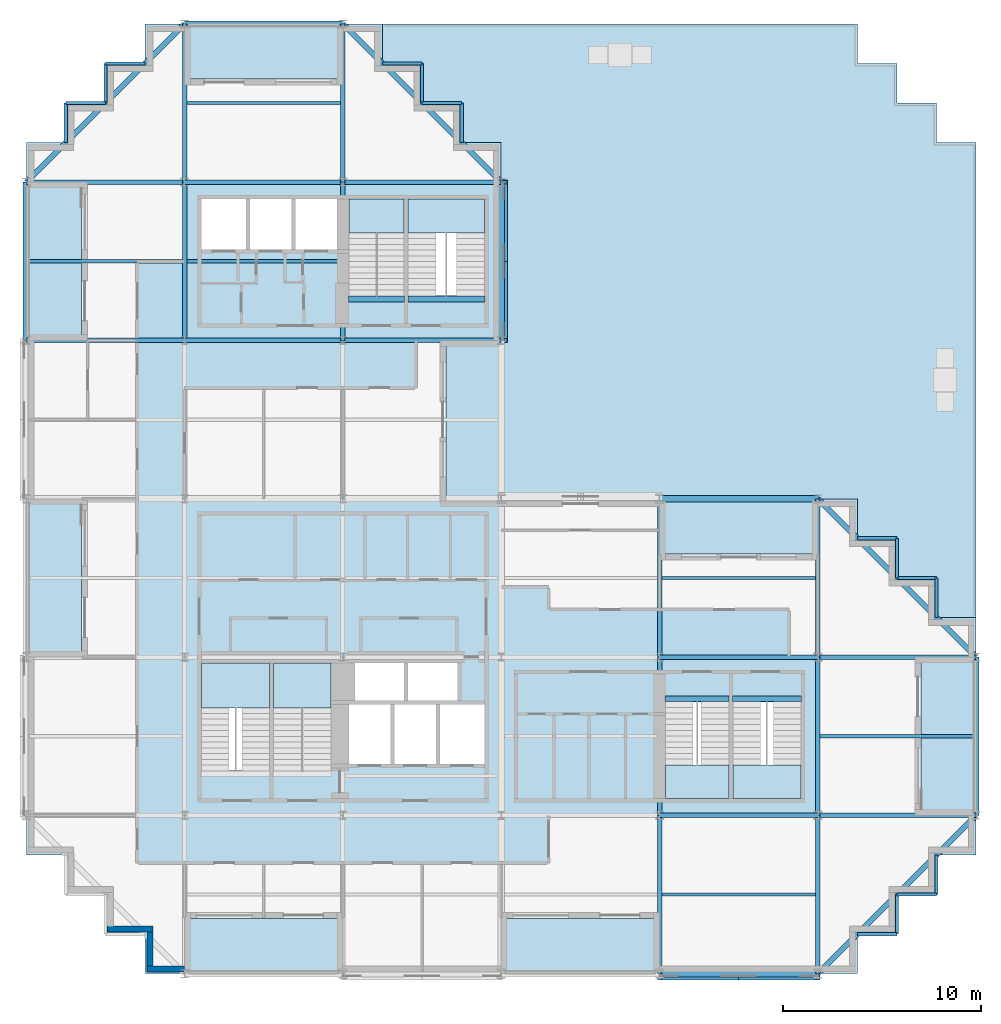
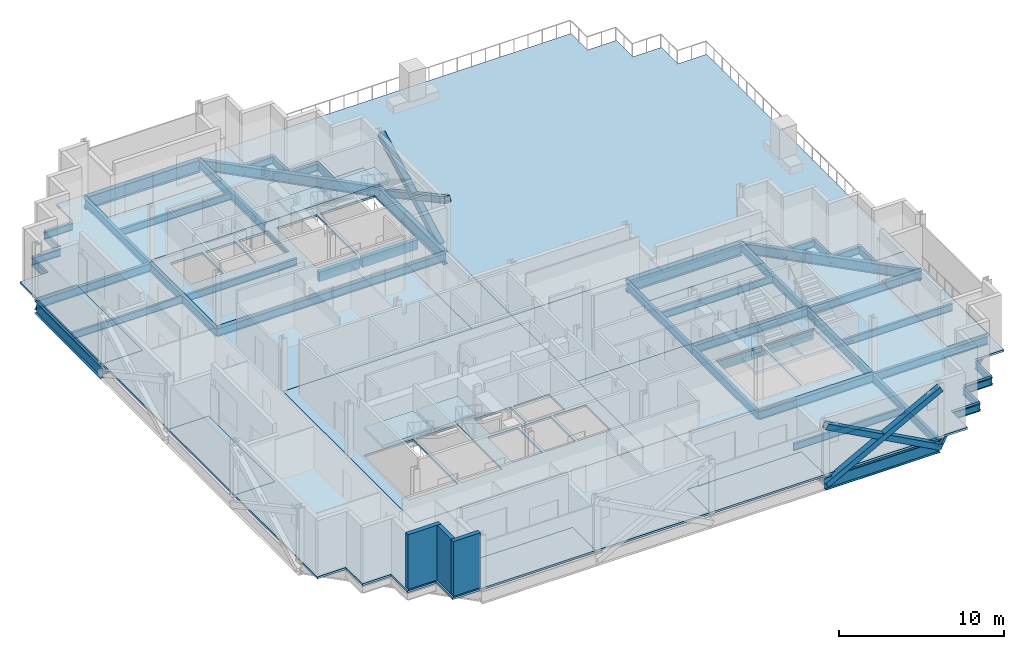
# One storey, part 3 of 12: 56 beams, 19 slabs, 4 members, 3 walls, 6 elements without a shape of their own.
"""IFC4 building model written with IfcOpenShell, lengths in metres."""

from ifc_helpers import new_model, si_unit, direction, frame, frame_2d, origin, origin_2d, place, context, subcontext, project, spatial, polyline, rectangle, hollow_rectangle, i_section, outline, extrude, material, layer, layer_set, material_profile, profile_set, type_object, element, aggregate, save


model = new_model("IFC4")

# Units and contexts
model_context = context("Model", 3, precision=1e-05, world=origin(), true_north=direction((0.0, 1.0)))
body_context = subcontext(model_context, "Body", "Model", "MODEL_VIEW")
ifc_project = project(units=[si_unit("LENGTHUNIT", "METRE"), si_unit("AREAUNIT", "SQUARE_METRE"), si_unit("VOLUMEUNIT", "CUBIC_METRE"), si_unit("PLANEANGLEUNIT", "RADIAN"), si_unit("MASSUNIT", "GRAM", prefix="KILO")], contexts=[model_context])

# Site, building, storey
site_placement = place(None, origin())
site = spatial("IfcSite", under=ifc_project, at=site_placement, CompositionType="ELEMENT")
building_placement = place(site_placement, origin())
building = spatial("IfcBuilding", under=site, at=building_placement, Name="Immortelle Media Tower", CompositionType="ELEMENT")
storey_placement = place(building_placement, frame((0.0, 0.0, 120.0)))
storey = spatial("IfcBuildingStorey", under=building, at=storey_placement, Name="L23", CompositionType="ELEMENT", Elevation=120.0)

# Members
ifc_material_1 = material(Name="Steel ASTM A500 Gr C", Category="steel")
ifc_material_profile_1 = material_profile(ifc_material_1, hollow_rectangle(XDim=0.406005859375, YDim=0.406005859375, WallThickness=0.011962890625, at=origin_2d()), Name="HSS16x16x1/2 brace")
ifc_profile_set_1 = profile_set([ifc_material_profile_1], Name="Steel ASTM A500 Gr C")
member_type = type_object("IfcMemberType", Name="HSS16x16x1/2 brace", PredefinedType="BRACE", material=ifc_profile_set_1)
for number, where, z_axis, x_axis, name in (
    (1, (32.0, -0.113037109375, -0.613525390625), (0.880036960402, 0.0, 0.474905199304), (0.0, 1.0, 0.0), "Brace A/5-6 A"),
    (2, (32.0, -0.113037109375, 3.70361328125), (0.880036960402, 0.0, -0.474905199304), (0.0, 1.0, 0.0), "Brace A/5-6 B"),
    (3, (24.113037109375, 32.0, -0.613525390625), (0.0, 0.880036960402, 0.474905199304), (-1.0, 0.0, 0.0), "Brace 4/E-F A"),
    (4, (24.113037109375, 32.0, 3.70361328125), (0.0, 0.880036960402, -0.474905199304), (-1.0, 0.0, 0.0), "Brace 4/E-F B"),
):
    element("IfcMember", number, at=place(storey_placement, frame(where, z_axis=z_axis, x_axis=x_axis)), inside=storey, type_object=member_type, Name=name, PredefinedType="BRACE", context=body_context, shape_type="SweptSolid", body=[
        extrude(hollow_rectangle(XDim=0.406005859375, YDim=0.406005859375, WallThickness=0.011962890625, at=origin_2d()), origin(), (0.0, 0.0, 1.0), 9.090576171875),
    ])

# Beams
ifc_material_2 = material(Name="Concrete C50/60", Category="concrete")
ifc_material_profile_2 = material_profile(ifc_material_2, rectangle(XDim=0.300048828125, YDim=0.699951171875, at=origin_2d()), Name="RC 300x700")
ifc_profile_set_2 = profile_set([ifc_material_profile_2], Name="Concrete C50/60")
beam_type_1 = type_object("IfcBeamType", Name="Stair trimmer beam 300 x 700", PredefinedType="BEAM", material=ifc_profile_set_2)
beam_1_placement = place(storey_placement, frame((32.280029296875, 13.89501953125, -0.5), z_axis=(1.0, 0.0, 0.0), x_axis=(0.0, 1.0, 0.0)))
element("IfcBeam", 5, at=beam_1_placement, inside=storey, type_object=beam_type_1, Name="Stair trimmer beam SE1", PredefinedType="BEAM", context=body_context, shape_type="SweptSolid", body=[
    extrude(rectangle(XDim=0.300048828125, YDim=0.699951171875, at=origin_2d()), origin(), (0.0, 0.0, 1.0), 3.239990234375),
])
beam_2_placement = place(storey_placement, frame((35.679931640625, 13.89501953125, -0.5), z_axis=(1.0, 0.0, 0.0), x_axis=(0.0, 1.0, 0.0)))
element("IfcBeam", 6, at=beam_2_placement, inside=storey, type_object=beam_type_1, Name="Stair trimmer beam SE2", PredefinedType="BEAM", context=body_context, shape_type="SweptSolid", body=[
    extrude(rectangle(XDim=0.300048828125, YDim=0.699951171875, at=origin_2d()), origin(), (0.0, 0.0, 1.0), 3.489990234375),
])
beam_3_placement = place(storey_placement, frame((16.280029296875, 34.10498046875, -0.5), z_axis=(1.0, 0.0, 0.0), x_axis=(0.0, 1.0, 0.0)))
element("IfcBeam", 7, at=beam_3_placement, inside=storey, type_object=beam_type_1, Name="Stair trimmer beam NW1", PredefinedType="BEAM", context=body_context, shape_type="SweptSolid", body=[
    extrude(rectangle(XDim=0.300048828125, YDim=0.699951171875, at=origin_2d()), origin(), (0.0, 0.0, 1.0), 2.840087890625),
])
beam_4_placement = place(storey_placement, frame((19.280029296875, 34.10498046875, -0.5), z_axis=(1.0, 0.0, 0.0), x_axis=(0.0, 1.0, 0.0)))
element("IfcBeam", 8, at=beam_4_placement, inside=storey, type_object=beam_type_1, Name="Stair trimmer beam NW2", PredefinedType="BEAM", context=body_context, shape_type="SweptSolid", body=[
    extrude(rectangle(XDim=0.300048828125, YDim=0.699951171875, at=origin_2d()), origin(), (0.0, 0.0, 1.0), 3.889892578125),
])
ifc_material_3 = material(Name="Steel ASTM A992 Gr 50", Category="steel")
ifc_material_profile_3 = material_profile(ifc_material_3, i_section(OverallWidth=0.1650390625, OverallDepth=0.52587890625, WebThickness=0.009033203125, FlangeThickness=0.010986328125, at=origin_2d()), Name="W21x44")
ifc_profile_set_3 = profile_set([ifc_material_profile_3], Name="Steel ASTM A992 Gr 50")
beam_type_2 = type_object("IfcBeamType", Name="W21x44 secondary beam", PredefinedType="JOIST", material=ifc_profile_set_3)
beam_5_placement = place(storey_placement, frame((32.114501953125, 4.0, -0.4130859375), z_axis=(1.0, 0.0, 0.0), x_axis=(0.0, 1.0, 0.0)))
element("IfcBeam", 9, at=beam_5_placement, inside=storey, type_object=beam_type_2, Name="Beam A-B/5-6", PredefinedType="JOIST", context=body_context, shape_type="SweptSolid", body=[
    extrude(i_section(OverallWidth=0.1650390625, OverallDepth=0.52587890625, WebThickness=0.009033203125, FlangeThickness=0.010986328125, at=origin_2d()), origin(), (0.0, 0.0, 1.0), 7.77099609375),
])
beam_6_placement = place(storey_placement, frame((40.114501953125, 12.0, -0.4130859375), z_axis=(1.0, 0.0, 0.0), x_axis=(0.0, 1.0, 0.0)))
element("IfcBeam", 10, at=beam_6_placement, inside=storey, type_object=beam_type_2, Name="Beam B-C/6-7", PredefinedType="JOIST", context=body_context, shape_type="SweptSolid", body=[
    extrude(i_section(OverallWidth=0.1650390625, OverallDepth=0.52587890625, WebThickness=0.009033203125, FlangeThickness=0.010986328125, at=origin_2d()), origin(), (0.0, 0.0, 1.0), 7.73193359375),
])
beam_7_placement = place(storey_placement, frame((32.114501953125, 20.0, -0.4130859375), z_axis=(1.0, 0.0, 0.0), x_axis=(0.0, 1.0, 0.0)))
element("IfcBeam", 11, at=beam_7_placement, inside=storey, type_object=beam_type_2, Name="Beam C-D/5-6", PredefinedType="JOIST", context=body_context, shape_type="SweptSolid", body=[
    extrude(i_section(OverallWidth=0.1650390625, OverallDepth=0.52587890625, WebThickness=0.009033203125, FlangeThickness=0.010986328125, at=origin_2d()), origin(), (0.0, 0.0, 1.0), 7.77099609375),
])
beam_8_placement = place(storey_placement, frame((0.153564453125, 36.0, -0.4130859375), z_axis=(1.0, 0.0, 0.0), x_axis=(0.0, 1.0, 0.0)))
element("IfcBeam", 12, at=beam_8_placement, inside=storey, type_object=beam_type_2, Name="Beam E-F/1-2", PredefinedType="JOIST", context=body_context, shape_type="SweptSolid", body=[
    extrude(i_section(OverallWidth=0.1650390625, OverallDepth=0.52587890625, WebThickness=0.009033203125, FlangeThickness=0.010986328125, at=origin_2d()), origin(), (0.0, 0.0, 1.0), 7.73193359375),
])
for number, where, z_axis, x_axis, name in (
    (13, (8.114501953125, 36.0, -0.4130859375), (1.0, 0.0, 0.0), (0.0, 1.0, 0.0), "Beam E-F/2-3"),
    (14, (8.114501953125, 44.0, -0.4130859375), (1.0, 0.0, 0.0), (0.0, 1.0, 0.0), "Beam F-G/2-3"),
):
    element("IfcBeam", number, at=place(storey_placement, frame(where, z_axis=z_axis, x_axis=x_axis)), inside=storey, type_object=beam_type_2, Name=name, PredefinedType="JOIST", context=body_context, shape_type="SweptSolid", body=[
        extrude(i_section(OverallWidth=0.1650390625, OverallDepth=0.52587890625, WebThickness=0.009033203125, FlangeThickness=0.010986328125, at=origin_2d()), origin(), (0.0, 0.0, 1.0), 7.77099609375),
    ])
ifc_material_profile_4 = material_profile(ifc_material_3, i_section(OverallWidth=0.1650390625, OverallDepth=0.52587890625, WebThickness=0.009033203125, FlangeThickness=0.010986328125, at=origin_2d()), Name="W21x44")
ifc_profile_set_4 = profile_set([ifc_material_profile_4], Name="Steel ASTM A992 Gr 50")
beam_type_3 = type_object("IfcBeamType", Name="W21x44 serration edge beam", PredefinedType="SPANDREL", material=ifc_profile_set_4)
for number, where, z_axis, x_axis, name in (
    (15, (2.0, 42.0, -0.4130859375), (0.0, 1.0, 0.0), (-1.0, 0.0, 0.0), "Corner edge beam 1 at 1/G"),
    (16, (2.0, 44.0, -0.4130859375), (1.0, 0.0, 0.0), (0.0, 1.0, 0.0), "Corner edge beam 2 at 1/G"),
    (17, (4.0, 44.0, -0.4130859375), (0.0, 1.0, 0.0), (-1.0, 0.0, 0.0), "Corner edge beam 3 at 1/G"),
    (18, (4.0, 46.0, -0.4130859375), (1.0, 0.0, 0.0), (0.0, 1.0, 0.0), "Corner edge beam 4 at 1/G"),
    (19, (18.0, 46.0, -0.4130859375), (1.0, 0.0, 0.0), (0.0, 1.0, 0.0), "Corner edge beam 1 at 4/G"),
    (20, (20.0, 46.0, -0.4130859375), (0.0, -1.0, 0.0), (1.0, 0.0, 0.0), "Corner edge beam 2 at 4/G"),
    (21, (20.0, 44.0, -0.4130859375), (1.0, 0.0, 0.0), (0.0, 1.0, 0.0), "Corner edge beam 3 at 4/G"),
    (22, (22.0, 44.0, -0.4130859375), (0.0, -1.0, 0.0), (1.0, 0.0, 0.0), "Corner edge beam 4 at 4/G"),
    (23, (46.0, 6.0, -0.4130859375), (0.0, -1.0, 0.0), (1.0, 0.0, 0.0), "Corner edge beam 1 at 7/A"),
    (24, (46.0, 4.0, -0.4130859375), (-1.0, 0.0, 0.0), (0.0, -1.0, 0.0), "Corner edge beam 2 at 7/A"),
    (25, (44.0, 4.0, -0.4130859375), (0.0, -1.0, 0.0), (1.0, 0.0, 0.0), "Corner edge beam 3 at 7/A"),
    (26, (44.0, 2.0, -0.4130859375), (-1.0, 0.0, 0.0), (0.0, -1.0, 0.0), "Corner edge beam 4 at 7/A"),
    (27, (42.0, 22.0, -0.4130859375), (1.0, 0.0, 0.0), (0.0, 1.0, 0.0), "Corner edge beam 1 at 7/D"),
    (28, (44.0, 22.0, -0.4130859375), (0.0, -1.0, 0.0), (1.0, 0.0, 0.0), "Corner edge beam 2 at 7/D"),
    (29, (44.0, 20.0, -0.4130859375), (1.0, 0.0, 0.0), (0.0, 1.0, 0.0), "Corner edge beam 3 at 7/D"),
    (30, (46.0, 20.0, -0.4130859375), (0.0, -1.0, 0.0), (1.0, 0.0, 0.0), "Corner edge beam 4 at 7/D"),
):
    element("IfcBeam", number, at=place(storey_placement, frame(where, z_axis=z_axis, x_axis=x_axis)), inside=storey, type_object=beam_type_3, Name=name, PredefinedType="SPANDREL", context=body_context, shape_type="SweptSolid", body=[
        extrude(i_section(OverallWidth=0.1650390625, OverallDepth=0.52587890625, WebThickness=0.009033203125, FlangeThickness=0.010986328125, at=origin_2d()), origin(), (0.0, 0.0, 1.0), 2.0),
    ])
ifc_material_profile_5 = material_profile(ifc_material_3, i_section(OverallWidth=0.22900390625, OverallDepth=0.612060546875, WebThickness=0.011962890625, FlangeThickness=0.02001953125, at=origin_2d()), Name="W24x84")
ifc_profile_set_5 = profile_set([ifc_material_profile_5], Name="Steel ASTM A992 Gr 50")
beam_type_4 = type_object("IfcBeamType", Name="W24x84 girder", PredefinedType="BEAM", material=ifc_profile_set_5)
for number, where, z_axis, x_axis, name in (
    (31, (0.0, 32.0, -0.4560546875), (1.0, 0.0, 0.0), (0.0, 1.0, 0.0), "Girder E/1-2"),
    (32, (0.0, 40.0, -0.4560546875), (1.0, 0.0, 0.0), (0.0, 1.0, 0.0), "Girder F/1-2"),
    (33, (8.0, 32.0, -0.4560546875), (1.0, 0.0, 0.0), (0.0, 1.0, 0.0), "Girder E/2-3"),
    (34, (8.0, 32.0, -0.4560546875), (0.0, 1.0, 0.0), (-1.0, 0.0, 0.0), "Girder 2/E-F"),
    (35, (8.0, 40.0, -0.4560546875), (1.0, 0.0, 0.0), (0.0, 1.0, 0.0), "Girder F/2-3"),
    (36, (8.0, 40.0, -0.4560546875), (0.0, 1.0, 0.0), (-1.0, 0.0, 0.0), "Girder 2/F-G"),
    (37, (16.0, 32.0, -0.4560546875), (1.0, 0.0, 0.0), (0.0, 1.0, 0.0), "Girder E/3-4"),
    (38, (16.0, 32.0, -0.4560546875), (0.0, 1.0, 0.0), (-1.0, 0.0, 0.0), "Girder 3/E-F"),
    (39, (16.0, 40.0, -0.4560546875), (1.0, 0.0, 0.0), (0.0, 1.0, 0.0), "Girder F/3-4"),
    (40, (16.0, 40.0, -0.4560546875), (0.0, 1.0, 0.0), (-1.0, 0.0, 0.0), "Girder 3/F-G"),
    (41, (32.0, 0.0, -0.4560546875), (0.0, 1.0, 0.0), (-1.0, 0.0, 0.0), "Girder 5/A-B"),
    (42, (32.0, 8.0, -0.4560546875), (1.0, 0.0, 0.0), (0.0, 1.0, 0.0), "Girder B/5-6"),
    (43, (32.0, 8.0, -0.4560546875), (0.0, 1.0, 0.0), (-1.0, 0.0, 0.0), "Girder 5/B-C"),
    (44, (32.0, 16.0, -0.4560546875), (1.0, 0.0, 0.0), (0.0, 1.0, 0.0), "Girder C/5-6"),
    (45, (32.0, 16.0, -0.4560546875), (0.0, 1.0, 0.0), (-1.0, 0.0, 0.0), "Girder 5/C-D"),
    (46, (40.0, 0.0, -0.4560546875), (0.0, 1.0, 0.0), (-1.0, 0.0, 0.0), "Girder 6/A-B"),
    (47, (40.0, 8.0, -0.4560546875), (1.0, 0.0, 0.0), (0.0, 1.0, 0.0), "Girder B/6-7"),
    (48, (40.0, 8.0, -0.4560546875), (0.0, 1.0, 0.0), (-1.0, 0.0, 0.0), "Girder 6/B-C"),
    (49, (40.0, 16.0, -0.4560546875), (1.0, 0.0, 0.0), (0.0, 1.0, 0.0), "Girder C/6-7"),
    (50, (40.0, 16.0, -0.4560546875), (0.0, 1.0, 0.0), (-1.0, 0.0, 0.0), "Girder 6/C-D"),
):
    element("IfcBeam", number, at=place(storey_placement, frame(where, z_axis=z_axis, x_axis=x_axis)), inside=storey, type_object=beam_type_4, Name=name, PredefinedType="BEAM", context=body_context, shape_type="SweptSolid", body=[
        extrude(i_section(OverallWidth=0.22900390625, OverallDepth=0.612060546875, WebThickness=0.011962890625, FlangeThickness=0.02001953125, at=origin_2d()), origin(), (0.0, 0.0, 1.0), 8.0),
    ])
ifc_material_profile_6 = material_profile(ifc_material_3, i_section(OverallWidth=0.26708984375, OverallDepth=0.761962890625, WebThickness=0.013916015625, FlangeThickness=0.02197265625, at=origin_2d()), Name="W30x116")
ifc_profile_set_6 = profile_set([ifc_material_profile_6], Name="Steel ASTM A992 Gr 50")
beam_type_5 = type_object("IfcBeamType", Name="W30x116 corner girder", PredefinedType="SPANDREL", material=ifc_profile_set_6)
for number, where, z_axis, x_axis, name in (
    (51, (0.0, 40.0, -0.531005859375), (0.707106781187, 0.707106781187, 0.0), (-0.707106781187, 0.707106781187, 0.0), "Corner girder at 1/G"),
    (52, (16.0, 48.0, -0.531005859375), (0.707106781187, -0.707106781187, 0.0), (0.707106781187, 0.707106781187, 0.0), "Corner girder at 4/G"),
    (53, (48.0, 8.0, -0.531005859375), (-0.707106781187, -0.707106781187, 0.0), (0.707106781187, -0.707106781187, 0.0), "Corner girder at 7/A"),
    (54, (40.0, 24.0, -0.531005859375), (0.707106781187, -0.707106781187, 0.0), (0.707106781187, 0.707106781187, 0.0), "Corner girder at 7/D"),
):
    element("IfcBeam", number, at=place(storey_placement, frame(where, z_axis=z_axis, x_axis=x_axis)), inside=storey, type_object=beam_type_5, Name=name, PredefinedType="SPANDREL", context=body_context, shape_type="SweptSolid", body=[
        extrude(i_section(OverallWidth=0.26708984375, OverallDepth=0.761962890625, WebThickness=0.013916015625, FlangeThickness=0.02197265625, at=origin_2d()), origin(), (0.0, 0.0, 1.0), 11.313720703125),
    ])
ifc_material_profile_7 = material_profile(ifc_material_3, i_section(OverallWidth=0.306884765625, OverallDepth=0.927001953125, WebThickness=0.01904296875, FlangeThickness=0.031982421875, at=origin_2d()), Name="W36x194")
ifc_profile_set_7 = profile_set([ifc_material_profile_7], Name="Steel ASTM A992 Gr 50")
beam_type_6 = type_object("IfcBeamType", Name="W36x194 perimeter girder", PredefinedType="SPANDREL", material=ifc_profile_set_7)
for number, where, z_axis, x_axis, name in (
    (55, (0.0, 32.0, -0.613525390625), (0.0, 1.0, 0.0), (-1.0, 0.0, 0.0), "Girder 1/E-F"),
    (56, (8.0, 48.0, -0.613525390625), (1.0, 0.0, 0.0), (0.0, 1.0, 0.0), "Girder G/2-3"),
    (57, (24.0, 32.0, -0.613525390625), (0.0, 1.0, 0.0), (-1.0, 0.0, 0.0), "Girder 4/E-F"),
    (58, (32.0, 0.0, -0.613525390625), (1.0, 0.0, 0.0), (0.0, 1.0, 0.0), "Girder A/5-6"),
    (59, (32.0, 24.0, -0.613525390625), (1.0, 0.0, 0.0), (0.0, 1.0, 0.0), "Girder D/5-6"),
    (60, (48.0, 8.0, -0.613525390625), (0.0, 1.0, 0.0), (-1.0, 0.0, 0.0), "Girder 7/B-C"),
):
    element("IfcBeam", number, at=place(storey_placement, frame(where, z_axis=z_axis, x_axis=x_axis)), inside=storey, type_object=beam_type_6, Name=name, PredefinedType="SPANDREL", context=body_context, shape_type="SweptSolid", body=[
        extrude(i_section(OverallWidth=0.306884765625, OverallDepth=0.927001953125, WebThickness=0.01904296875, FlangeThickness=0.031982421875, at=origin_2d()), origin(), (0.0, 0.0, 1.0), 8.0),
    ])

# Slabs
ifc_material_4 = material(Name="Concrete C50/60 composite deck", Category="concrete")
ifc_layer_1 = layer(ifc_material_4, 0.14990234375)
ifc_layer_set_1 = layer_set([ifc_layer_1], Name="Concrete C50/60 composite deck")
slab_type_1 = type_object("IfcSlabType", Name="Balcony slab 150", PredefinedType="FLOOR", material=ifc_layer_set_1)
slab_1_placement = place(storey_placement, frame((0.0, 0.0, -0.14990234375)))
element("IfcSlab", 61, at=slab_1_placement, inside=storey, type_object=slab_type_1, Name="Balcony slab L23 S0", PredefinedType="FLOOR", context=body_context, shape_type="SweptSolid", body=[
    extrude(outline(polyline([(16.0, 0.0), (16.0, 2.800048828125), (8.0, 2.800048828125), (8.0, 0.0), (16.0, 0.0)])), origin(), (0.0, 0.0, 1.0), 0.14990234375),
])
slab_2_placement = place(storey_placement, frame((0.0, 0.0, -0.14990234375)))
element("IfcSlab", 62, at=slab_2_placement, inside=storey, type_object=slab_type_1, Name="Balcony slab L23 S2", PredefinedType="FLOOR", context=body_context, shape_type="SweptSolid", body=[
    extrude(outline(polyline([(32.0, 0.0), (32.0, 2.800048828125), (24.0, 2.800048828125), (24.0, 0.0), (32.0, 0.0)])), origin(), (0.0, 0.0, 1.0), 0.14990234375),
])
slab_3_placement = place(storey_placement, frame((0.0, 0.0, -0.14990234375)))
element("IfcSlab", 63, at=slab_3_placement, inside=storey, type_object=slab_type_1, Name="Balcony slab L23 E0", PredefinedType="FLOOR", context=body_context, shape_type="SweptSolid", body=[
    extrude(outline(polyline([(48.0, 8.0), (48.0, 16.0), (45.199951171875, 16.0), (45.199951171875, 8.0), (48.0, 8.0)])), origin(), (0.0, 0.0, 1.0), 0.14990234375),
])
slab_4_placement = place(storey_placement, frame((0.0, 0.0, -0.14990234375)))
element("IfcSlab", 64, at=slab_4_placement, inside=storey, type_object=slab_type_1, Name="Balcony slab L23 N0", PredefinedType="FLOOR", context=body_context, shape_type="SweptSolid", body=[
    extrude(outline(polyline([(40.0, 21.199951171875), (40.0, 24.0), (32.0, 24.0), (32.0, 21.199951171875), (40.0, 21.199951171875)])), origin(), (0.0, 0.0, 1.0), 0.14990234375),
])
slab_5_placement = place(storey_placement, frame((0.0, 0.0, -0.14990234375)))
element("IfcSlab", 65, at=slab_5_placement, inside=storey, type_object=slab_type_1, Name="Balcony slab L23 E0", PredefinedType="FLOOR", context=body_context, shape_type="SweptSolid", body=[
    extrude(outline(polyline([(24.0, 24.0), (24.0, 32.0), (21.199951171875, 32.0), (21.199951171875, 24.0), (24.0, 24.0)])), origin(), (0.0, 0.0, 1.0), 0.14990234375),
])
slab_6_placement = place(storey_placement, frame((0.0, 0.0, -0.14990234375)))
element("IfcSlab", 66, at=slab_6_placement, inside=storey, type_object=slab_type_1, Name="Balcony slab L23 N0", PredefinedType="FLOOR", context=body_context, shape_type="SweptSolid", body=[
    extrude(outline(polyline([(16.0, 45.199951171875), (16.0, 48.0), (8.0, 48.0), (8.0, 45.199951171875), (16.0, 45.199951171875)])), origin(), (0.0, 0.0, 1.0), 0.14990234375),
])
slab_7_placement = place(storey_placement, frame((0.0, 0.0, -0.14990234375)))
element("IfcSlab", 67, at=slab_7_placement, inside=storey, type_object=slab_type_1, Name="Balcony slab L23 W0", PredefinedType="FLOOR", context=body_context, shape_type="SweptSolid", body=[
    extrude(outline(polyline([(2.800048828125, 32.0), (2.800048828125, 40.0), (0.0, 40.0), (0.0, 32.0), (2.800048828125, 32.0)])), origin(), (0.0, 0.0, 1.0), 0.14990234375),
])
slab_8_placement = place(storey_placement, frame((0.0, 0.0, -0.14990234375)))
element("IfcSlab", 68, at=slab_8_placement, inside=storey, type_object=slab_type_1, Name="Balcony slab L23 W2", PredefinedType="FLOOR", context=body_context, shape_type="SweptSolid", body=[
    extrude(outline(polyline([(2.800048828125, 16.0), (2.800048828125, 24.0), (0.0, 24.0), (0.0, 16.0), (2.800048828125, 16.0)])), origin(), (0.0, 0.0, 1.0), 0.14990234375),
])
ifc_layer_2 = layer(ifc_material_2, 0.14990234375)
ifc_layer_set_2 = layer_set([ifc_layer_2], Name="Concrete C50/60")
slab_type_2 = type_object("IfcSlabType", Name="Composite floor slab 150", PredefinedType="FLOOR", material=ifc_layer_set_2)
slab_9_placement = place(storey_placement, frame((0.0, 0.0, -0.14990234375)))
element("IfcSlab", 69, at=slab_9_placement, inside=storey, type_object=slab_type_2, Name="Floor slab L23", PredefinedType="FLOOR", context=body_context, shape_type="SweptSolid", body=[
    extrude(outline(polyline([(6.0, 0.0), (6.0, 2.0), (4.0, 2.0), (4.0, 4.0), (2.0, 4.0), (2.0, 6.0), (0.0, 6.0), (0.0, 16.0), (2.800048828125, 16.0), (2.800048828125, 24.0), (0.0, 24.0), (0.0, 32.0), (2.800048828125, 32.0), (2.800048828125, 40.0), (0.0, 40.0), (0.0, 42.0), (2.0, 42.0), (2.0, 44.0), (4.0, 44.0), (4.0, 46.0), (6.0, 46.0), (6.0, 48.0), (8.0, 48.0), (8.0, 45.199951171875), (16.0, 45.199951171875), (16.0, 48.0), (18.0, 48.0), (18.0, 46.0), (20.0, 46.0), (20.0, 44.0), (22.0, 44.0), (22.0, 42.0), (24.0, 42.0), (24.0, 40.0), (8.0, 40.0), (8.0, 32.0), (21.199951171875, 32.0), (21.199951171875, 24.0), (8.0, 24.0), (8.0, 8.0), (24.0, 8.0), (40.0, 8.0), (40.0, 16.0), (24.0, 16.0), (24.0, 24.0), (32.0, 24.0), (32.0, 21.199951171875), (40.0, 21.199951171875), (40.0, 24.0), (42.0, 24.0), (42.0, 22.0), (44.0, 22.0), (44.0, 20.0), (46.0, 20.0), (46.0, 18.0), (48.0, 18.0), (48.0, 16.0), (45.199951171875, 16.0), (45.199951171875, 8.0), (48.0, 8.0), (48.0, 6.0), (46.0, 6.0), (46.0, 4.0), (44.0, 4.0), (44.0, 2.0), (42.0, 2.0), (42.0, 0.0), (32.0, 0.0), (32.0, 2.800048828125), (24.0, 2.800048828125), (24.0, 0.0), (16.0, 0.0), (16.0, 2.800048828125), (8.0, 2.800048828125), (8.0, 0.0), (6.0, 0.0)])), origin(), (0.0, 0.0, 1.0), 0.14990234375),
])
ifc_layer_3 = layer(ifc_material_2, 0.14990234375)
ifc_layer_set_3 = layer_set([ifc_layer_3], Name="Concrete C50/60")
slab_type_3 = type_object("IfcSlabType", Name="Core floor slab 150", PredefinedType="FLOOR", material=ifc_layer_set_3)
slab_10_placement = place(storey_placement, frame((0.0, 0.0, -0.14990234375)))
element("IfcSlab", 70, at=slab_10_placement, inside=storey, type_object=slab_type_3, Name="Core floor SW", PredefinedType="FLOOR", context=body_context, shape_type="SweptSolid", body=[
    extrude(outline(polyline([(8.0, 8.0), (24.0, 8.0), (24.0, 24.0), (8.0, 24.0), (8.0, 8.0)]), holes=[polyline([(16.60009765625, 13.800048828125), (19.10009765625, 13.800048828125), (19.10009765625, 15.699951171875), (16.60009765625, 15.699951171875), (16.60009765625, 13.800048828125)]), polyline([(19.300048828125, 13.800048828125), (21.800048828125, 13.800048828125), (21.800048828125, 15.699951171875), (19.300048828125, 15.699951171875), (19.300048828125, 13.800048828125)]), polyline([(16.300048828125, 10.60009765625), (18.39990234375, 10.60009765625), (18.39990234375, 13.60009765625), (16.300048828125, 13.60009765625), (16.300048828125, 10.60009765625)]), polyline([(18.60009765625, 10.60009765625), (20.699951171875, 10.60009765625), (20.699951171875, 13.60009765625), (18.60009765625, 13.60009765625), (18.60009765625, 10.60009765625)]), polyline([(20.89990234375, 10.60009765625), (23.14990234375, 10.60009765625), (23.14990234375, 13.60009765625), (20.89990234375, 13.60009765625), (20.89990234375, 10.60009765625)]), polyline([(8.85009765625, 10.27001953125), (12.300048828125, 10.27001953125), (12.300048828125, 15.699951171875), (8.85009765625, 15.699951171875), (8.85009765625, 10.27001953125)]), polyline([(12.5, 10.27001953125), (15.39990234375, 10.27001953125), (15.39990234375, 15.699951171875), (12.5, 15.699951171875), (12.5, 10.27001953125)])]), origin(), (0.0, 0.0, 1.0), 0.14990234375),
])
slab_11_placement = place(storey_placement, frame((0.0, 0.0, -0.14990234375)))
element("IfcSlab", 71, at=slab_11_placement, inside=storey, type_object=slab_type_3, Name="Core floor SE", PredefinedType="FLOOR", context=body_context, shape_type="SweptSolid", body=[
    extrude(outline(polyline([(24.0, 8.0), (40.0, 8.0), (40.0, 16.0), (24.0, 16.0), (24.0, 8.0)]), holes=[polyline([(32.300048828125, 8.85009765625), (35.5, 8.85009765625), (35.5, 13.72998046875), (32.300048828125, 13.72998046875), (32.300048828125, 8.85009765625)]), polyline([(35.699951171875, 8.85009765625), (39.14990234375, 8.85009765625), (39.14990234375, 13.72998046875), (35.699951171875, 13.72998046875), (35.699951171875, 8.85009765625)])]), origin(), (0.0, 0.0, 1.0), 0.14990234375),
])
slab_12_placement = place(storey_placement, frame((0.0, 0.0, -0.14990234375)))
element("IfcSlab", 72, at=slab_12_placement, inside=storey, type_object=slab_type_3, Name="Core floor NW", PredefinedType="FLOOR", context=body_context, shape_type="SweptSolid", body=[
    extrude(outline(polyline([(8.0, 32.0), (24.0, 32.0), (24.0, 40.0), (8.0, 40.0), (8.0, 32.0)]), holes=[polyline([(8.85009765625, 36.60009765625), (11.10009765625, 36.60009765625), (11.10009765625, 39.14990234375), (8.85009765625, 39.14990234375), (8.85009765625, 36.60009765625)]), polyline([(11.300048828125, 36.60009765625), (13.39990234375, 36.60009765625), (13.39990234375, 39.14990234375), (11.300048828125, 39.14990234375), (11.300048828125, 36.60009765625)]), polyline([(13.60009765625, 36.60009765625), (15.699951171875, 36.60009765625), (15.699951171875, 39.14990234375), (13.60009765625, 39.14990234375), (13.60009765625, 36.60009765625)]), polyline([(16.300048828125, 34.27001953125), (19.10009765625, 34.27001953125), (19.10009765625, 39.14990234375), (16.300048828125, 39.14990234375), (16.300048828125, 34.27001953125)]), polyline([(19.300048828125, 34.27001953125), (23.14990234375, 34.27001953125), (23.14990234375, 39.14990234375), (19.300048828125, 39.14990234375), (19.300048828125, 34.27001953125)])]), origin(), (0.0, 0.0, 1.0), 0.14990234375),
])

# Stair, slab
stair_type = type_object("IfcStairType", Name="Stair with flights", PredefinedType="DOUBLE_RETURN_STAIR", material=ifc_material_3)
stair_1_placement = place(storey_placement, origin())
stair_1 = element("IfcStair", 73, at=stair_1_placement, inside=storey, type_object=stair_type, Name="Exit stair SW1", PredefinedType="DOUBLE_RETURN_STAIR")
ifc_material_5 = material(Name="Steel ASTM A572 Gr 50", Category="steel")
ifc_layer_4 = layer(ifc_material_5, 0.199951171875)
ifc_layer_set_4 = layer_set([ifc_layer_4], Name="Steel ASTM A572 Gr 50")
slab_type_4 = type_object("IfcSlabType", Name="Stair landing 200", PredefinedType="LANDING", material=ifc_layer_set_4)
slab_13_placement = place(storey_placement, frame((0.0, 0.0, 1.89990234375)))
slab_13 = element("IfcSlab", 74, at=slab_13_placement, type_object=slab_type_4, Name="ST SW1 landing 1", PredefinedType="LANDING", context=body_context, shape_type="SweptSolid", body=[
    extrude(outline(polyline([(8.85009765625, 13.43994140625), (12.300048828125, 13.43994140625), (12.300048828125, 15.699951171875), (8.85009765625, 15.699951171875), (8.85009765625, 13.43994140625)])), origin(), (0.0, 0.0, 1.0), 0.2001953125),
])
aggregate(stair_1, [slab_13])

stair_2_placement = place(storey_placement, origin())
stair_2 = element("IfcStair", 75, at=stair_2_placement, inside=storey, type_object=stair_type, Name="Exit stair SW2", PredefinedType="DOUBLE_RETURN_STAIR")
slab_14_placement = place(storey_placement, frame((0.0, 0.0, 1.89990234375)))
slab_14 = element("IfcSlab", 76, at=slab_14_placement, type_object=slab_type_4, Name="ST SW2 landing 1", PredefinedType="LANDING", context=body_context, shape_type="SweptSolid", body=[
    extrude(outline(polyline([(12.5, 13.43994140625), (15.39990234375, 13.43994140625), (15.39990234375, 15.699951171875), (12.5, 15.699951171875), (12.5, 13.43994140625)])), origin(), (0.0, 0.0, 1.0), 0.2001953125),
])
aggregate(stair_2, [slab_14])

stair_3_placement = place(storey_placement, origin())
stair_3 = element("IfcStair", 77, at=stair_3_placement, inside=storey, type_object=stair_type, Name="Exit stair SE1", PredefinedType="DOUBLE_RETURN_STAIR")
slab_15_placement = place(storey_placement, frame((0.0, 0.0, 1.89990234375)))
slab_15 = element("IfcSlab", 78, at=slab_15_placement, type_object=slab_type_4, Name="ST SE1 landing 1", PredefinedType="LANDING", context=body_context, shape_type="SweptSolid", body=[
    extrude(outline(polyline([(32.300048828125, 8.85009765625), (35.5, 8.85009765625), (35.5, 10.56005859375), (32.300048828125, 10.56005859375), (32.300048828125, 8.85009765625)])), origin(), (0.0, 0.0, 1.0), 0.2001953125),
])
aggregate(stair_3, [slab_15])

stair_4_placement = place(storey_placement, origin())
stair_4 = element("IfcStair", 79, at=stair_4_placement, inside=storey, type_object=stair_type, Name="Exit stair SE2", PredefinedType="DOUBLE_RETURN_STAIR")
slab_16_placement = place(storey_placement, frame((0.0, 0.0, 1.89990234375)))
slab_16 = element("IfcSlab", 80, at=slab_16_placement, type_object=slab_type_4, Name="ST SE2 landing 1", PredefinedType="LANDING", context=body_context, shape_type="SweptSolid", body=[
    extrude(outline(polyline([(35.699951171875, 8.85009765625), (39.14990234375, 8.85009765625), (39.14990234375, 10.56005859375), (35.699951171875, 10.56005859375), (35.699951171875, 8.85009765625)])), origin(), (0.0, 0.0, 1.0), 0.2001953125),
])
aggregate(stair_4, [slab_16])

stair_5_placement = place(storey_placement, origin())
stair_5 = element("IfcStair", 81, at=stair_5_placement, inside=storey, type_object=stair_type, Name="Exit stair NW1", PredefinedType="DOUBLE_RETURN_STAIR")
slab_17_placement = place(storey_placement, frame((0.0, 0.0, 1.89990234375)))
slab_17 = element("IfcSlab", 82, at=slab_17_placement, type_object=slab_type_4, Name="ST NW1 landing 1", PredefinedType="LANDING", context=body_context, shape_type="SweptSolid", body=[
    extrude(outline(polyline([(16.300048828125, 37.43994140625), (19.10009765625, 37.43994140625), (19.10009765625, 39.14990234375), (16.300048828125, 39.14990234375), (16.300048828125, 37.43994140625)])), origin(), (0.0, 0.0, 1.0), 0.2001953125),
])
aggregate(stair_5, [slab_17])

stair_6_placement = place(storey_placement, origin())
stair_6 = element("IfcStair", 83, at=stair_6_placement, inside=storey, type_object=stair_type, Name="Exit stair NW2", PredefinedType="DOUBLE_RETURN_STAIR")
slab_18_placement = place(storey_placement, frame((0.0, 0.0, 1.89990234375)))
slab_18 = element("IfcSlab", 84, at=slab_18_placement, type_object=slab_type_4, Name="ST NW2 landing 1", PredefinedType="LANDING", context=body_context, shape_type="SweptSolid", body=[
    extrude(outline(polyline([(19.300048828125, 37.43994140625), (23.14990234375, 37.43994140625), (23.14990234375, 39.14990234375), (19.300048828125, 39.14990234375), (19.300048828125, 37.43994140625)])), origin(), (0.0, 0.0, 1.0), 0.2001953125),
])
aggregate(stair_6, [slab_18])

# Slab
ifc_layer_5 = layer(ifc_material_4, 0.14990234375)
ifc_layer_set_5 = layer_set([ifc_layer_5], Name="Concrete C50/60 composite deck")
slab_type_5 = type_object("IfcSlabType", Name="Terrace slab 150", PredefinedType="ROOF", material=ifc_layer_set_5)
slab_19_placement = place(storey_placement, frame((0.0, 0.0, -0.14990234375)))
element("IfcSlab", 85, at=slab_19_placement, inside=storey, type_object=slab_type_5, Name="Roof terrace slab L23 NE0", PredefinedType="ROOF", context=body_context, shape_type="SweptSolid", body=[
    extrude(outline(polyline([(42.0, 48.0), (42.0, 46.0), (44.0, 46.0), (44.0, 44.0), (46.0, 44.0), (46.0, 42.0), (48.0, 42.0), (48.0, 24.0), (48.0, 18.001953125), (46.001953125, 18.001953125), (46.001953125, 20.001953125), (44.001953125, 20.001953125), (44.001953125, 22.001953125), (42.001953125, 22.001953125), (42.001953125, 24.001953125), (24.001953125, 24.001953125), (24.001953125, 32.001953125), (24.0, 32.001953125), (24.0, 39.998046875), (24.001953125, 39.998046875), (24.001953125, 42.001953125), (22.001953125, 42.001953125), (22.001953125, 44.001953125), (20.001953125, 44.001953125), (20.001953125, 46.001953125), (18.001953125, 46.001953125), (18.001953125, 48.0), (24.0, 48.0), (42.0, 48.0)])), origin(), (0.0, 0.0, 1.0), 0.14990234375),
])

# Walls
ifc_material_6 = material(Name="Pale aluminium cladding panel", Category="aluminium")
ifc_layer_6 = layer(ifc_material_6, 0.030029296875)
ifc_material_7 = material(Name="Steel ASTM A653 SS Gr 50 stud frame with mineral wool", Category="steel")
ifc_layer_7 = layer(ifc_material_7, 0.257568359375)
ifc_material_8 = material(Name="Moisture-resistant gypsum board", Category="gypsum")
ifc_layer_8 = layer(ifc_material_8, 0.012451171875)
ifc_layer_set_6 = layer_set([ifc_layer_6, ifc_layer_7, ifc_layer_8], Name="Steel ASTM A653 SS Gr 50 stud frame with mineral wool")
wall_type = type_object("IfcWallType", Name="Facade wall 300", PredefinedType="SOLIDWALL", material=ifc_layer_set_6)
wall_1_placement = place(storey_placement, frame((4.10009765625, 2.25, 0.0), z_axis=(0.0, 0.0, 1.0), x_axis=(1.0, 0.0, 0.0)))
element("IfcWall", 86, at=wall_1_placement, inside=storey, type_object=wall_type, Name="Facade wall L23 S4", PredefinedType="SOLIDWALL", context=body_context, shape_type="SweptSolid", body=[
    extrude(rectangle(XDim=2.2998046875, YDim=0.300048828125, at=frame_2d((1.14990234375, 0.0))), origin(), (0.0, 0.0, 1.0), 4.050048828125),
])
wall_2_placement = place(storey_placement, frame((6.25, 2.10009765625, 0.0), z_axis=(0.0, 0.0, 1.0), x_axis=(0.0, -1.0, 0.0)))
element("IfcWall", 87, at=wall_2_placement, inside=storey, type_object=wall_type, Name="Facade wall L23 W5", PredefinedType="SOLIDWALL", context=body_context, shape_type="SweptSolid", body=[
    extrude(rectangle(XDim=1.7001953125, YDim=0.300048828125, at=frame_2d((0.85009765625, 0.0))), origin(), (0.0, 0.0, 1.0), 4.050048828125),
])
wall_3_placement = place(storey_placement, frame((6.10009765625, 0.25, 0.0), z_axis=(0.0, 0.0, 1.0), x_axis=(1.0, 0.0, 0.0)))
element("IfcWall", 88, at=wall_3_placement, inside=storey, type_object=wall_type, Name="Facade wall L23 S6", PredefinedType="SOLIDWALL", context=body_context, shape_type="SweptSolid", body=[
    extrude(rectangle(XDim=1.89990234375, YDim=0.300048828125, at=frame_2d((0.949951171875, 0.0))), origin(), (0.0, 0.0, 1.0), 4.050048828125),
])

save(model, "model.ifc")
